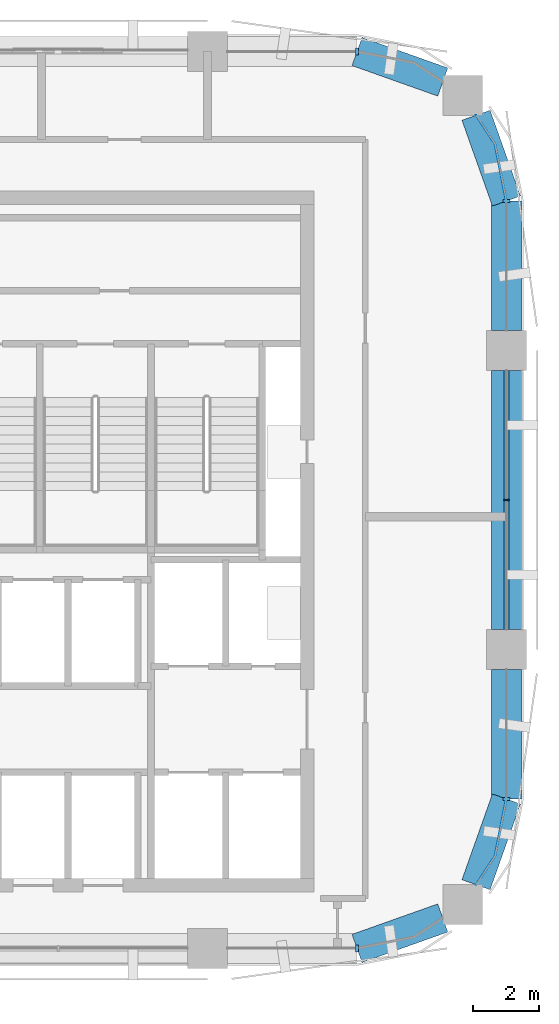
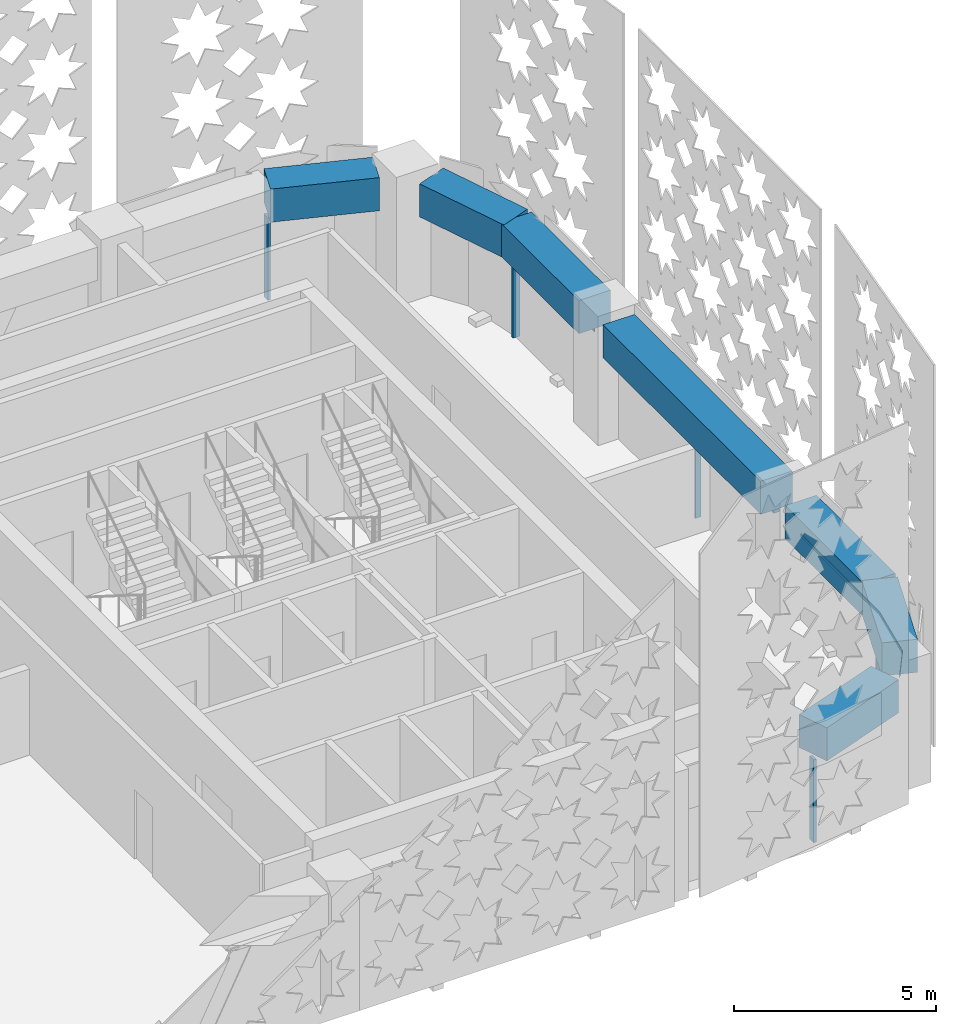
# One storey, part 5 of 15: 8 members, 7 beams, 5 elements without a shape of their own.
"""IFC4 building model written with IfcOpenShell, lengths in metres."""

from ifc_helpers import new_model, si_unit, direction, frame, origin, origin_2d, place, context, subcontext, project, spatial, polyline, rectangle, outline, extrude, material, material_profile, profile_set, type_object, element, aggregate, save


model = new_model("IFC4")

# Units and contexts
model_context = context("Model", 3, precision=1e-05, world=origin(), true_north=direction((0.0, 1.0)))
body_context = subcontext(model_context, "Body", "Model", "MODEL_VIEW")
ifc_project = project(units=[si_unit("LENGTHUNIT", "METRE"), si_unit("AREAUNIT", "SQUARE_METRE"), si_unit("VOLUMEUNIT", "CUBIC_METRE"), si_unit("PLANEANGLEUNIT", "RADIAN"), si_unit("MASSUNIT", "GRAM", prefix="KILO")], contexts=[model_context])

# Site, building, storey
site_placement = place(None, origin())
site = spatial("IfcSite", under=ifc_project, at=site_placement, CompositionType="ELEMENT")
building_placement = place(site_placement, origin())
building = spatial("IfcBuilding", under=site, at=building_placement, Name="Tessera Arch", CompositionType="ELEMENT")
storey_placement = place(building_placement, frame((0.0, 0.0, 257.89990234375)))
storey = spatial("IfcBuildingStorey", under=building, at=storey_placement, Name="L62", CompositionType="ELEMENT", Elevation=257.89990234375)

# Curtain wall, members
ifc_material_1 = material(Name="CW1 curtain wall")
curtain_wall_type_1 = type_object("IfcCurtainWallType", Name="CW1 curtain wall", PredefinedType="NOTDEFINED", material=ifc_material_1)
curtain_wall_1_placement = place(storey_placement, origin())
curtain_wall_1 = element("IfcCurtainWall", 1, at=curtain_wall_1_placement, inside=storey, type_object=curtain_wall_type_1, Name="CW1 curtain wall E54.27/0 L62", PredefinedType="NOTDEFINED")
ifc_material_2 = material(Name="Anodised aluminium pale metal", Category="aluminium")
ifc_material_profile_1 = material_profile(ifc_material_2, rectangle(XDim=0.159912109375, YDim=0.06005859375, at=origin_2d()), Name="AL 60x160")
ifc_profile_set_1 = profile_set([ifc_material_profile_1], Name="Anodised aluminium pale metal")
member_type_1 = type_object("IfcMemberType", Name="CW1 mullion", PredefinedType="MULLION", material=ifc_profile_set_1)
member_1_placement = place(storey_placement, frame((54.0, 40.5, 0.0), z_axis=(0.0, 0.0, 1.0), x_axis=(-1.0, 0.0, 0.0)))
member_1 = element("IfcMember", 2, at=member_1_placement, type_object=member_type_1, Name="CW1 mullion E54.27/0 1", PredefinedType="MULLION", context=body_context, shape_type="SweptSolid", body=[
    extrude(rectangle(XDim=0.159912109375, YDim=0.06005859375, at=origin_2d()), origin(), (0.0, 0.0, 1.0), 2.5),
])
ifc_material_3 = material(Name="Anodised aluminium pale metal", Category="aluminium")
ifc_material_profile_2 = material_profile(ifc_material_3, rectangle(XDim=0.159912109375, YDim=0.10009765625, at=origin_2d()), Name="AL 160x100")
ifc_profile_set_2 = profile_set([ifc_material_profile_2], Name="Anodised aluminium pale metal")
member_type_2 = type_object("IfcMemberType", Name="CW1 transom", PredefinedType="USERDEFINED", material=ifc_profile_set_2)
member_2_placement = place(storey_placement, frame((54.0, 36.60009765625, 2.550048828125), z_axis=(0.0, 1.0, 0.0), x_axis=(-1.0, 0.0, 0.0)))
member_2 = element("IfcMember", 3, at=member_2_placement, type_object=member_type_2, Name="CW1 transom E54.27/0 1.1", ObjectType="TRANSOM", PredefinedType="USERDEFINED", context=body_context, shape_type="SweptSolid", body=[
    extrude(rectangle(XDim=0.159912109375, YDim=0.10009765625, at=origin_2d()), origin(), (0.0, 0.0, 1.0), 7.7998046875),
])
aggregate(curtain_wall_1, [member_1, member_2])

# Curtain wall, member
ifc_material_4 = material(Name="CW2 curtain wall")
curtain_wall_type_2 = type_object("IfcCurtainWallType", Name="CW2 curtain wall", PredefinedType="NOTDEFINED", material=ifc_material_4)
curtain_wall_2_placement = place(storey_placement, origin())
curtain_wall_2 = element("IfcCurtainWall", 4, at=curtain_wall_2_placement, inside=storey, type_object=curtain_wall_type_2, Name="CW2 curtain wall E54.27/1 L62", PredefinedType="NOTDEFINED")
ifc_material_5 = material(Name="Anodised aluminium pale metal", Category="aluminium")
ifc_material_profile_3 = material_profile(ifc_material_5, rectangle(XDim=0.199951171875, YDim=0.080078125, at=origin_2d()), Name="AL 80x200")
ifc_profile_set_3 = profile_set([ifc_material_profile_3], Name="Anodised aluminium pale metal")
member_type_3 = type_object("IfcMemberType", Name="CW2 mullion", PredefinedType="MULLION", material=ifc_profile_set_3)
member_3_placement = place(storey_placement, frame((54.0, 49.5, 0.0), z_axis=(0.0, 0.0, 1.0), x_axis=(-1.0, 0.0, 0.0)))
member_3 = element("IfcMember", 5, at=member_3_placement, type_object=member_type_3, Name="CW2 mullion E54.27/1 1", PredefinedType="MULLION", context=body_context, shape_type="SweptSolid", body=[
    extrude(rectangle(XDim=0.199951171875, YDim=0.080078125, at=origin_2d()), origin(), (0.0, 0.0, 1.0), 2.5),
])

curtain_wall_3_placement = place(storey_placement, origin())
curtain_wall_3 = element("IfcCurtainWall", 6, at=curtain_wall_3_placement, inside=storey, type_object=curtain_wall_type_2, Name="CW2 curtain wall N54.18/0 L62", PredefinedType="NOTDEFINED")
member_4_placement = place(storey_placement, frame((49.5, 54.0, 0.0), z_axis=(0.0, 0.0, 1.0), x_axis=(0.0, -1.0, 0.0)))
member_4 = element("IfcMember", 7, at=member_4_placement, type_object=member_type_3, Name="CW2 mullion N54.18/0 1", PredefinedType="MULLION", context=body_context, shape_type="SweptSolid", body=[
    extrude(rectangle(XDim=0.199951171875, YDim=0.080078125, at=origin_2d()), origin(), (0.0, 0.0, 1.0), 2.5),
])
aggregate(curtain_wall_3, [member_4])

curtain_wall_4_placement = place(storey_placement, origin())
curtain_wall_4 = element("IfcCurtainWall", 8, at=curtain_wall_4_placement, inside=storey, type_object=curtain_wall_type_2, Name="CW2 curtain wall S27.18/3 L62", PredefinedType="NOTDEFINED")
member_5_placement = place(storey_placement, frame((49.5, 27.0, 0.0), z_axis=(0.0, 0.0, 1.0), x_axis=(0.0, 1.0, 0.0)))
member_5 = element("IfcMember", 9, at=member_5_placement, type_object=member_type_3, Name="CW2 mullion S27.18/3 1", PredefinedType="MULLION", context=body_context, shape_type="SweptSolid", body=[
    extrude(rectangle(XDim=0.199951171875, YDim=0.080078125, at=origin_2d()), origin(), (0.0, 0.0, 1.0), 2.5),
])
aggregate(curtain_wall_4, [member_5])

curtain_wall_5_placement = place(storey_placement, origin())
curtain_wall_5 = element("IfcCurtainWall", 10, at=curtain_wall_5_placement, inside=storey, type_object=curtain_wall_type_2, Name="CW2 curtain wall E54.27/2 L62", PredefinedType="NOTDEFINED")
member_6_placement = place(storey_placement, frame((54.0, 31.5, 0.0), z_axis=(0.0, 0.0, 1.0), x_axis=(-1.0, 0.0, 0.0)))
member_6 = element("IfcMember", 11, at=member_6_placement, type_object=member_type_3, Name="CW2 mullion E54.27/2 1", PredefinedType="MULLION", context=body_context, shape_type="SweptSolid", body=[
    extrude(rectangle(XDim=0.199951171875, YDim=0.080078125, at=origin_2d()), origin(), (0.0, 0.0, 1.0), 2.5),
])

# Member
ifc_material_6 = material(Name="Anodised aluminium pale metal", Category="aluminium")
ifc_material_profile_4 = material_profile(ifc_material_6, rectangle(XDim=0.199951171875, YDim=0.10009765625, at=origin_2d()), Name="AL 200x100")
ifc_profile_set_4 = profile_set([ifc_material_profile_4], Name="Anodised aluminium pale metal")
member_type_4 = type_object("IfcMemberType", Name="CW2 transom", PredefinedType="USERDEFINED", material=ifc_profile_set_4)
member_7_placement = place(storey_placement, frame((0.0, 0.0, 2.5)))
member_7 = element("IfcMember", 12, at=member_7_placement, type_object=member_type_4, Name="CW2 transom E54.27/1 1", ObjectType="TRANSOM", PredefinedType="USERDEFINED", context=body_context, shape_type="SweptSolid", body=[
    extrude(outline(polyline([(53.989990234375, 49.4990234375), (53.989990234375, 45.60009765625), (54.010009765625, 45.60009765625), (54.010009765625, 49.5009765625), (53.6669921875, 51.22607421875), (53.09130859375, 52.087646484375), (53.07470703125, 52.076416015625), (53.648193359375, 51.21826171875), (53.989990234375, 49.4990234375)])), origin(), (0.0, 0.0, 1.0), 0.10009765625),
])

aggregate(curtain_wall_2, [member_3, member_7])

member_8_placement = place(storey_placement, frame((0.0, 0.0, 2.5)))
member_8 = element("IfcMember", 13, at=member_8_placement, type_object=member_type_4, Name="CW2 transom E54.27/2 1", ObjectType="TRANSOM", PredefinedType="USERDEFINED", context=body_context, shape_type="SweptSolid", body=[
    extrude(outline(polyline([(53.648193359375, 29.78173828125), (53.07470703125, 28.923583984375), (53.09130859375, 28.912353515625), (53.6669921875, 29.77392578125), (54.010009765625, 31.4990234375), (54.010009765625, 35.39990234375), (53.989990234375, 35.39990234375), (53.989990234375, 31.5009765625), (53.648193359375, 29.78173828125)])), origin(), (0.0, 0.0, 1.0), 0.10009765625),
])

aggregate(curtain_wall_5, [member_6, member_8])

# Beams
ifc_material_7 = material(Name="Concrete C60/75", Category="concrete")
ifc_material_profile_5 = material_profile(ifc_material_7, rectangle(XDim=0.89990234375, YDim=1.0, at=origin_2d()), Name="RC spandrel beam 900 x 1000 Concrete C60/75")
ifc_profile_set_5 = profile_set([ifc_material_profile_5], Name="Concrete C60/75")
beam_type = type_object("IfcBeamType", Name="RC spandrel beam 900 x 1000 Concrete C60/75", PredefinedType="BEAM", material=ifc_profile_set_5)
beam_1_placement = place(storey_placement, frame((54.0, 36.60009765625, 3.10009765625), z_axis=(0.0, 1.0, 0.0), x_axis=(-1.0, 0.0, 0.0)))
element("IfcBeam", 14, at=beam_1_placement, inside=storey, type_object=beam_type, Name="Spandrel beam L62 E54.27/0", PredefinedType="BEAM", context=body_context, shape_type="SweptSolid", body=[
    extrude(rectangle(XDim=0.89990234375, YDim=1.0, at=origin_2d()), origin(), (0.0, 0.0, 1.0), 7.7998046875),
])
beam_2_placement = place(storey_placement, frame((54.0, 45.60009765625, 3.10009765625), z_axis=(0.0, 1.0, 0.0), x_axis=(-1.0, 0.0, 0.0)))
element("IfcBeam", 15, at=beam_2_placement, inside=storey, type_object=beam_type, Name="Spandrel beam L62 E54.27/1.1", PredefinedType="BEAM", context=body_context, shape_type="SweptSolid", body=[
    extrude(rectangle(XDim=0.89990234375, YDim=1.0, at=origin_2d()), origin(), (0.0, 0.0, 1.0), 3.89990234375),
])
for number, where, z_axis, x_axis, name in (
    (16, (54.0, 49.5, 3.10009765625), (-0.334665114373, 0.942337127159, 0.0), (-0.942337127159, -0.334665114373, 0.0), "Spandrel beam L62 E54.27/1.2"),
    (17, (52.08203125, 53.0830078125, 3.10009765625), (-0.942337127159, 0.334665114373, 0.0), (-0.334665114373, -0.942337127159, 0.0), "Spandrel beam L62 N54.18/0.1"),
    (18, (49.5, 27.0, 3.10009765625), (0.942337127159, 0.334665114373, 0.0), (-0.334665114373, 0.942337127159, 0.0), "Spandrel beam L62 S27.18/3.2"),
    (19, (53.0830078125, 28.91796875, 3.10009765625), (0.334665114373, 0.942337127159, 0.0), (-0.942337127159, 0.334665114373, 0.0), "Spandrel beam L62 E54.27/2.1"),
):
    element("IfcBeam", number, at=place(storey_placement, frame(where, z_axis=z_axis, x_axis=x_axis)), inside=storey, type_object=beam_type, Name=name, PredefinedType="BEAM", context=body_context, shape_type="SweptSolid", body=[
        extrude(rectangle(XDim=0.89990234375, YDim=1.0, at=origin_2d()), origin(), (0.0, 0.0, 1.0), 2.739990234375),
    ])
beam_3_placement = place(storey_placement, frame((54.0, 31.5, 3.10009765625), z_axis=(0.0, 1.0, 0.0), x_axis=(-1.0, 0.0, 0.0)))
element("IfcBeam", 20, at=beam_3_placement, inside=storey, type_object=beam_type, Name="Spandrel beam L62 E54.27/2.2", PredefinedType="BEAM", context=body_context, shape_type="SweptSolid", body=[
    extrude(rectangle(XDim=0.89990234375, YDim=1.0, at=origin_2d()), origin(), (0.0, 0.0, 1.0), 3.89990234375),
])

save(model, "model.ifc")
